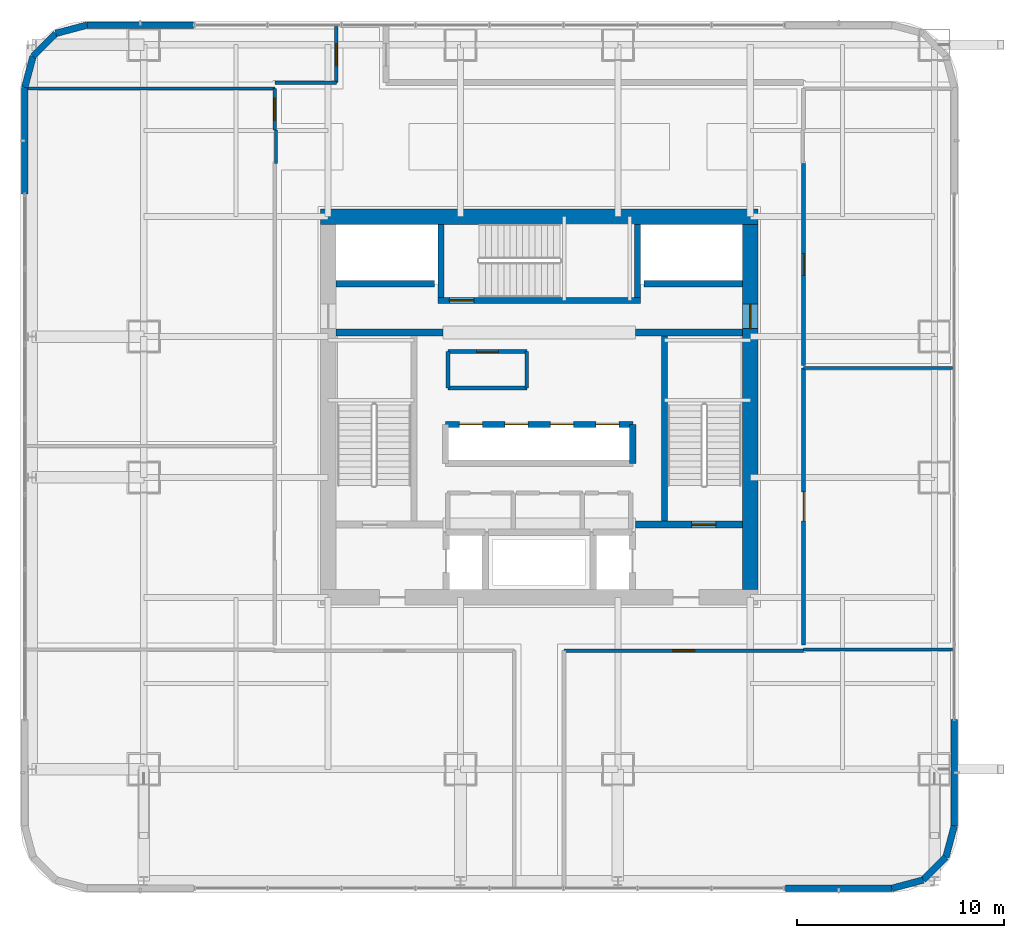
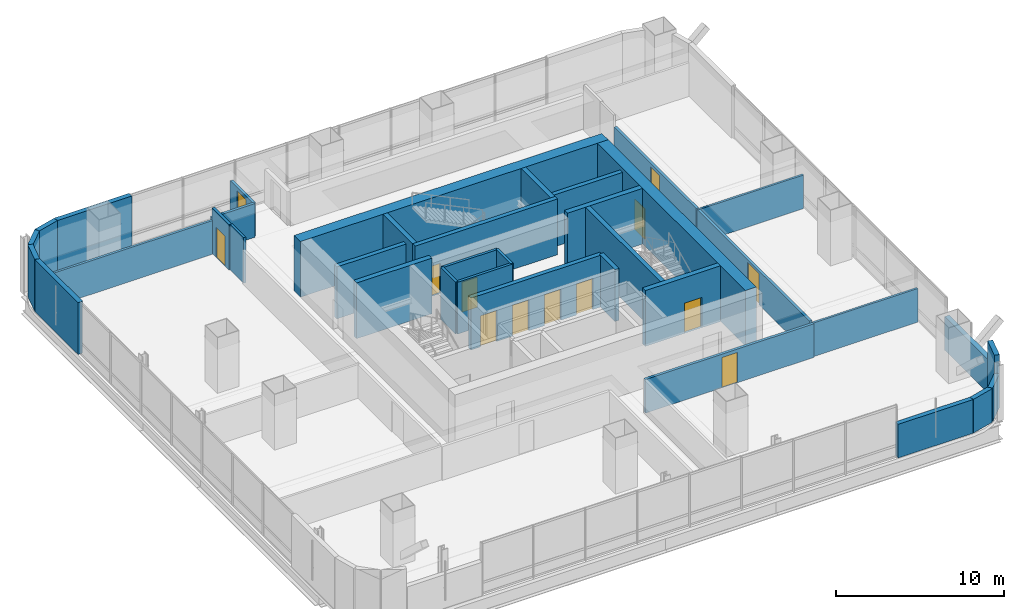
# One storey, part 30 of 45: 37 walls, 13 doors, 13 openings.
"""IFC4 building model written with IfcOpenShell, lengths in metres."""

import ifcopenshell
import ifcopenshell.guid

model = None  # the IFC model being written
_history = None  # IfcOwnerHistory: only IFC2X3 demands one
_inside = {}  # id of a spatial element -> (the spatial element, [elements in it])
_under = {}  # id of a project, library or spatial element -> (it, [spatial elements below it])
_declared = {}  # id of a project -> (the project, [libraries it declares])
_typed = {}  # id of a type object -> (the type object, [elements of that type])
_made_of = {}  # id of a material, layer set ... -> (it, [elements and type objects made of it])


def new_model(schema):
    """Start an empty IFC model of exactly this schema.

    Asked for "IFC4X3", IfcOpenShell would pick the latest addendum, in which some entities
    have other attributes; the version numbers below select the first issue.
    IFC2X3 requires an IfcOwnerHistory on every rooted entity: one is made here for all.
    """
    global model, _history
    if schema == "IFC4X3":
        model = ifcopenshell.file(schema_version=(4, 3, 0, 0))
    else:
        model = ifcopenshell.file(schema=schema)
    _inside.clear()
    _under.clear()
    _declared.clear()
    _typed.clear()
    _made_of.clear()
    _history = None
    if model.schema == "IFC2X3":
        org = make("IfcOrganization", Name="unknown")
        user = make(
            "IfcPersonAndOrganization",
            ThePerson=make("IfcPerson", FamilyName="unknown"),
            TheOrganization=org,
        )
        app = make(
            "IfcApplication",
            ApplicationDeveloper=org,
            Version="unknown",
            ApplicationFullName="unknown",
            ApplicationIdentifier="unknown",
        )
        _history = make(
            "IfcOwnerHistory",
            OwningUser=user,
            OwningApplication=app,
            ChangeAction="ADDED",
            CreationDate=0,
        )
    return model


def make(cls, **values):
    """One entity of the class cls with the attributes given. An attribute that is None is left unset."""
    return model.create_entity(
        cls, **{name: value for name, value in values.items() if value is not None}
    )


def rooted(cls, **values):
    """An entity with a GlobalId (a new one), such as an element, a storey or a relation."""
    return make(cls, GlobalId=ifcopenshell.guid.new(), OwnerHistory=_history, **values)


def si_unit(unit_type, name, prefix=None):
    """IfcSIUnit, for example si_unit("LENGTHUNIT", "METRE", prefix="MILLI")."""
    return make("IfcSIUnit", UnitType=unit_type, Prefix=prefix, Name=name)


def assignment(units):
    """IfcUnitAssignment: the units of a project."""
    return None if units is None else make("IfcUnitAssignment", Units=units)


def point(xyz):
    """IfcCartesianPoint."""
    return None if xyz is None else make("IfcCartesianPoint", Coordinates=xyz)


def direction(xyz):
    """IfcDirection."""
    return None if xyz is None else make("IfcDirection", DirectionRatios=xyz)


def frame(location, z_axis=None, x_axis=None):
    """IfcAxis2Placement3D, a coordinate frame: its origin and axes. An axis left out is left unset."""
    return make(
        "IfcAxis2Placement3D",
        Location=point(location),
        Axis=direction(z_axis),
        RefDirection=direction(x_axis),
    )


def frame_2d(location, x_axis=None):
    """IfcAxis2Placement2D, a coordinate frame in the plane: its origin and x axis."""
    return make(
        "IfcAxis2Placement2D", Location=point(location), RefDirection=direction(x_axis)
    )


def origin():
    """The frame at (0, 0, 0) with its axes left unset."""
    return frame((0.0, 0.0, 0.0))


def place(relative_to, where):
    """IfcLocalPlacement: puts the frame where relative to a parent placement (None: the world)."""
    return make(
        "IfcLocalPlacement", PlacementRelTo=relative_to, RelativePlacement=where
    )


def context(
    kind, dimensions, precision=None, world=None, true_north=None, identifier=None
):
    """IfcGeometricRepresentationContext, for example the 3D "Model" context."""
    return make(
        "IfcGeometricRepresentationContext",
        ContextIdentifier=identifier,
        ContextType=kind,
        CoordinateSpaceDimension=dimensions,
        Precision=precision,
        WorldCoordinateSystem=world,
        TrueNorth=true_north,
    )


def subcontext(parent, identifier, kind, view, scale=None):
    """IfcGeometricRepresentationSubContext, for example "Body" below "Model"."""
    return make(
        "IfcGeometricRepresentationSubContext",
        ContextIdentifier=identifier,
        ContextType=kind,
        ParentContext=parent,
        TargetScale=scale,
        TargetView=view,
    )


def project(units=None, contexts=None):
    """IfcProject with its units and contexts."""
    return rooted(
        "IfcProject",
        Name="project",
        RepresentationContexts=contexts,
        UnitsInContext=assignment(units),
    )


def spatial(cls, under=None, at=None, **own):
    """A site, building, storey or space (cls), placed at a placement, below another one or the project."""
    s = rooted(cls, ObjectPlacement=at, **own)
    if under is not None:
        _under.setdefault(under.id(), (under, []))[1].append(s)
    return s


def profile(cls, at=None, kind="AREA", **sizes):
    """A parametric profile (cls). Its sizes go by their IFC names, for example OverallWidth=200.0."""
    return make(cls, ProfileType=kind, Position=at, **sizes)


def rectangle(**sizes):
    """IfcRectangleProfileDef."""
    return profile("IfcRectangleProfileDef", **sizes)


def extrude(swept, where, along, depth):
    """IfcExtrudedAreaSolid: the profile swept, set in the frame where, extruded along a direction by depth."""
    return make(
        "IfcExtrudedAreaSolid",
        SweptArea=swept,
        Position=where,
        ExtrudedDirection=direction(along),
        Depth=depth,
    )


def shape(context_of_items, identifier, shape_type, items):
    """IfcShapeRepresentation: the items that make up one representation, for example the "Body"."""
    return make(
        "IfcShapeRepresentation",
        ContextOfItems=context_of_items,
        RepresentationIdentifier=identifier,
        RepresentationType=shape_type,
        Items=items,
    )


def material(Name=None, Category=None):
    """IfcMaterial."""
    return make("IfcMaterial", Name=Name, Category=Category)


def layer(
    of_material, thickness, ventilated=None, Name=None, Category=None, Priority=None
):
    """IfcMaterialLayer: one layer of a wall or slab, of a material (None: an air gap)."""
    return make(
        "IfcMaterialLayer",
        Material=of_material,
        LayerThickness=thickness,
        IsVentilated=ventilated,
        Name=Name,
        Category=Category,
        Priority=Priority,
    )


def layer_set(layers, Name=None):
    """IfcMaterialLayerSet."""
    return make("IfcMaterialLayerSet", MaterialLayers=layers, LayerSetName=Name)


def made_of(thing, what):
    """Note that an element or type object is made of a material, layer set ...; save() writes the relation."""
    if what is not None:
        _made_of.setdefault(what.id(), (what, []))[1].append(thing)
    return thing


def type_object(cls, material=None, **own):
    """A type object (cls), such as IfcWallType, which elements share."""
    return made_of(rooted(cls, **own), material)


def element(
    cls,
    number,
    at=None,
    inside=None,
    cuts=None,
    type_object=None,
    material=None,
    context=None,
    identifier="Body",
    shape_type=None,
    held_by="IfcProductDefinitionShape",
    body=None,
    shapes=None,
    **own,
):
    """One element of the class cls, such as IfcWall. Its Tag is "e" and its number.

    at: its placement. inside: the storey or other place that contains it. cuts: it is an
    opening in that element (IfcRelVoidsElement). A single representation is given by context,
    identifier, shape_type and body (its items); several are given by shapes. held_by: the class
    of the entity that holds the representations. save() writes the other relations.
    """
    e = rooted(cls, Tag="e%d" % number, ObjectPlacement=at, **own)
    if body is not None:
        shapes = [shape(context, identifier, shape_type, body)]
    if shapes is not None:
        e.Representation = make(held_by, Representations=shapes)
    if inside is not None:
        _inside.setdefault(inside.id(), (inside, []))[1].append(e)
    if cuts is not None:
        rooted(
            "IfcRelVoidsElement", RelatingBuildingElement=cuts, RelatedOpeningElement=e
        )
    if type_object is not None:
        _typed.setdefault(type_object.id(), (type_object, []))[1].append(e)
    return made_of(e, material)


def fill(opening, filler):
    """IfcRelFillsElement: the door or window that sits in an opening."""
    return rooted(
        "IfcRelFillsElement",
        RelatingOpeningElement=opening,
        RelatedBuildingElement=filler,
    )


def aggregate(whole, parts):
    """IfcRelAggregates: a whole, such as a stair, and the parts it consists of."""
    return rooted("IfcRelAggregates", RelatingObject=whole, RelatedObjects=parts)


def save(model, path):
    """Write the relations noted so far, then the file.

    IfcRelAggregates (storeys below a building ...), IfcRelContainedInSpatialStructure (elements
    in a storey), IfcRelDefinesByType, IfcRelAssociatesMaterial and IfcRelDeclares: one each for
    every whole, place, type object, material and project.
    """
    for whole, parts in _under.values():
        aggregate(whole, parts)
    for where, things in _inside.values():
        rooted(
            "IfcRelContainedInSpatialStructure",
            RelatedElements=things,
            RelatingStructure=where,
        )
    for kind, things in _typed.values():
        rooted("IfcRelDefinesByType", RelatedObjects=things, RelatingType=kind)
    for what, things in _made_of.values():
        rooted("IfcRelAssociatesMaterial", RelatedObjects=things, RelatingMaterial=what)
    for by, libraries in _declared.values():
        rooted("IfcRelDeclares", RelatingContext=by, RelatedDefinitions=libraries)
    model.write(path)


model = new_model("IFC4")

# Units and contexts
model_context = context("Model", 3, precision=1e-05, world=origin(), true_north=direction((0.0, 1.0)))
body_context = subcontext(model_context, "Body", "Model", "MODEL_VIEW")
ifc_project = project(units=[si_unit("LENGTHUNIT", "METRE"), si_unit("AREAUNIT", "SQUARE_METRE"), si_unit("VOLUMEUNIT", "CUBIC_METRE"), si_unit("PLANEANGLEUNIT", "RADIAN"), si_unit("MASSUNIT", "GRAM", prefix="KILO")], contexts=[model_context])

# Site, building, storey
site_placement = place(None, origin())
site = spatial("IfcSite", under=ifc_project, at=site_placement, CompositionType="ELEMENT")
building_placement = place(site_placement, origin())
building = spatial("IfcBuilding", under=site, at=building_placement, Name="Punatoya Terracotta Tower", CompositionType="ELEMENT")
storey_placement = place(building_placement, frame((0.0, 0.0, 56.550048828125)))
storey = spatial("IfcBuildingStorey", under=building, at=storey_placement, Name="L12", CompositionType="ELEMENT", Elevation=56.550048828125)

# Wall
ifc_material_1 = material(Name="Concrete C60/75", Category="concrete")
ifc_layer_1 = layer(ifc_material_1, 0.75)
ifc_layer_set_1 = layer_set([ifc_layer_1], Name="Concrete C60/75")
wall_type_1 = type_object("IfcWallType", Name="WL-COR-750", PredefinedType="SHEAR", material=ifc_layer_set_1)
wall_1_placement = place(storey_placement, frame((-10.574951171875, 9.199951171875, 0.0), z_axis=(0.0, 0.0, 1.0), x_axis=(1.0, 0.0, 0.0)))
element("IfcWall", 1, at=wall_1_placement, inside=storey, type_object=wall_type_1, Name="L12 Core Shear Wall N", PredefinedType="SHEAR", context=body_context, shape_type="SweptSolid", body=[
    extrude(rectangle(XDim=21.14990234375, YDim=0.75, at=frame_2d((10.574951171875, 0.0))), origin(), (0.0, 0.0, 1.0), 4.050048828125),
])

# Wall, opening, door
wall_2_placement = place(storey_placement, frame((10.199951171875, 8.824951171875, 0.0), z_axis=(0.0, 0.0, 1.0), x_axis=(0.0, -1.0, 0.0)))
wall_2 = element("IfcWall", 2, at=wall_2_placement, inside=storey, type_object=wall_type_1, Name="L12 Core Shear Wall E", PredefinedType="SHEAR", context=body_context, shape_type="SweptSolid", body=[
    extrude(rectangle(XDim=17.64990234375, YDim=0.75, at=frame_2d((8.824951171875, 0.0))), origin(), (0.0, 0.0, 1.0), 4.050048828125),
])
opening_1_placement = place(wall_2_placement, frame((3.85498046875, 0.0, 0.0)))
opening_1 = element("IfcOpeningElement", 3, at=opening_1_placement, cuts=wall_2, Name="Opening SD-01", PredefinedType="OPENING", context=body_context, shape_type="SweptSolid", body=[
    extrude(rectangle(XDim=1.179931640625, YDim=2.199951171875, at=frame_2d((0.58984375, 1.10009765625))), frame((0.0, 0.385009765625, 0.0), z_axis=(0.0, -1.0, 0.0), x_axis=(1.0, 0.0, 0.0)), (0.0, 0.0, 1.0), 0.77001953125),
])
ifc_material_2 = material(Name="Galvanised Steel Pressurized Stair Fire Door", Category="steel")
door_type_1 = type_object("IfcDoorType", Name="DR-STR-1180", OperationType="NOTDEFINED", PredefinedType="DOOR", material=ifc_material_2)
door_1_placement = place(opening_1_placement, origin())
door_1 = element("IfcDoor", 4, at=door_1_placement, inside=storey, type_object=door_type_1, Name="L12 Central Lift Lobby East Fire Door", OperationType="SINGLE_SWING_RIGHT", OverallHeight=2.199951171875, OverallWidth=1.179931640625, PredefinedType="DOOR", context=body_context, shape_type="SweptSolid", body=[
    extrude(rectangle(XDim=1.179931640625, YDim=2.199951171875, at=frame_2d((0.58984375, 1.10009765625))), frame((0.0, 0.02490234375, 0.0), z_axis=(0.0, -1.0, 0.0), x_axis=(1.0, 0.0, 0.0)), (0.0, 0.0, 1.0), 0.050048828125),
])
fill(opening_1, door_1)

# Wall
ifc_material_3 = material(Name="Gypsum Fireboard + Steel Stud", Category="steel")
ifc_layer_2 = layer(ifc_material_3, 0.179931640625)
ifc_layer_set_2 = layer_set([ifc_layer_2], Name="Gypsum Fireboard + Steel Stud")
wall_type_2 = type_object("IfcWallType", Name="WL-CORR-180", PredefinedType="PARTITIONING", material=ifc_layer_set_2)
wall_3_placement = place(storey_placement, frame((-0.60009765625, 0.919921875, 0.0), z_axis=(0.0, 0.0, 1.0), x_axis=(0.0, 1.0, 0.0)))
element("IfcWall", 5, at=wall_3_placement, inside=storey, type_object=wall_type_2, Name="L12 West Core Archive Office Partition 08", PredefinedType="PARTITIONING", context=body_context, shape_type="SweptSolid", body=[
    extrude(rectangle(XDim=1.760009765625, YDim=0.179931640625, at=frame_2d((0.8798828125, 0.0))), origin(), (0.0, 0.0, 1.0), 3.77001953125),
])

# Wall, opening, door
wall_4_placement = place(storey_placement, frame((-0.60009765625, 2.679931640625, 0.0), z_axis=(0.0, 0.0, 1.0), x_axis=(-1.0, 0.0, 0.0)))
wall_4 = element("IfcWall", 6, at=wall_4_placement, inside=storey, type_object=wall_type_2, Name="L12 West Core Archive Office Partition 09", PredefinedType="PARTITIONING", context=body_context, shape_type="SweptSolid", body=[
    extrude(rectangle(XDim=3.7998046875, YDim=0.179931640625, at=frame_2d((1.89990234375, 0.0))), origin(), (0.0, 0.0, 1.0), 3.77001953125),
])
opening_2_placement = place(wall_4_placement, frame((1.375, 0.0, 0.0)))
opening_2 = element("IfcOpeningElement", 7, at=opening_2_placement, cuts=wall_4, Name="Opening OD-01", PredefinedType="OPENING", context=body_context, shape_type="SweptSolid", body=[
    extrude(rectangle(XDim=1.050048828125, YDim=2.199951171875, at=frame_2d((0.52490234375, 1.10009765625))), frame((0.0, 0.099853515625, 0.0), z_axis=(0.0, -1.0, 0.0), x_axis=(1.0, 0.0, 0.0)), (0.0, 0.0, 1.0), 0.199951171875),
])
ifc_material_4 = material(Name="Bengal Teak Solid-Core Leaf")
door_type_2 = type_object("IfcDoorType", Name="DR-OFF-1050", OperationType="NOTDEFINED", PredefinedType="DOOR", material=ifc_material_4)
door_2_placement = place(opening_2_placement, origin())
door_2 = element("IfcDoor", 8, at=door_2_placement, inside=storey, type_object=door_type_2, Name="L12 West Archive Office Door", OperationType="SINGLE_SWING_RIGHT", OverallHeight=2.199951171875, OverallWidth=1.050048828125, PredefinedType="DOOR", context=body_context, shape_type="SweptSolid", body=[
    extrude(rectangle(XDim=1.050048828125, YDim=2.199951171875, at=frame_2d((0.52490234375, 1.10009765625))), frame((0.0, 0.02490234375, 0.0), z_axis=(0.0, -1.0, 0.0), x_axis=(1.0, 0.0, 0.0)), (0.0, 0.0, 1.0), 0.050048828125),
])
fill(opening_2, door_2)

# Walls
wall_5_placement = place(storey_placement, frame((-4.39990234375, 2.679931640625, 0.0), z_axis=(0.0, 0.0, 1.0), x_axis=(0.0, -1.0, 0.0)))
element("IfcWall", 9, at=wall_5_placement, inside=storey, type_object=wall_type_2, Name="L12 West Core Archive Office Partition 10", PredefinedType="PARTITIONING", context=body_context, shape_type="SweptSolid", body=[
    extrude(rectangle(XDim=1.760009765625, YDim=0.179931640625, at=frame_2d((0.8798828125, 0.0))), origin(), (0.0, 0.0, 1.0), 3.77001953125),
])
wall_6_placement = place(storey_placement, frame((-4.39990234375, 0.919921875, 0.0), z_axis=(0.0, 0.0, 1.0), x_axis=(1.0, 0.0, 0.0)))
element("IfcWall", 10, at=wall_6_placement, inside=storey, type_object=wall_type_2, Name="L12 West Core Archive Office Partition 11", PredefinedType="PARTITIONING", context=body_context, shape_type="SweptSolid", body=[
    extrude(rectangle(XDim=3.7998046875, YDim=0.179931640625, at=frame_2d((1.89990234375, 0.0))), origin(), (0.0, 0.0, 1.0), 3.77001953125),
])

# Wall, opening, door
wall_7_placement = place(storey_placement, frame((1.199951171875, -11.77001953125, 0.0), z_axis=(0.0, 0.0, 1.0), x_axis=(1.0, 0.0, 0.0)))
wall_7 = element("IfcWall", 11, at=wall_7_placement, inside=storey, type_object=wall_type_2, Name="L12 Occupational Rest Lounge Partition 15", PredefinedType="PARTITIONING", context=body_context, shape_type="SweptSolid", body=[
    extrude(rectangle(XDim=11.570068359375, YDim=0.179931640625, at=frame_2d((5.78515625, 0.0))), origin(), (0.0, 0.0, 1.0), 2.44384765625),
])
opening_3_placement = place(wall_7_placement, frame((5.260009765625, 0.0, 0.0)))
opening_3 = element("IfcOpeningElement", 12, at=opening_3_placement, cuts=wall_7, Name="Opening OD-01", PredefinedType="OPENING", context=body_context, shape_type="SweptSolid", body=[
    extrude(rectangle(XDim=1.050048828125, YDim=2.199951171875, at=frame_2d((0.52490234375, 1.10009765625))), frame((0.0, 0.099853515625, 0.0), z_axis=(0.0, -1.0, 0.0), x_axis=(1.0, 0.0, 0.0)), (0.0, 0.0, 1.0), 0.199951171875),
])
door_3_placement = place(opening_3_placement, origin())
door_3 = element("IfcDoor", 13, at=door_3_placement, inside=storey, type_object=door_type_2, Name="L12 Occupational Rest Lounge Door", OperationType="SINGLE_SWING_RIGHT", OverallHeight=2.199951171875, OverallWidth=1.050048828125, PredefinedType="DOOR", context=body_context, shape_type="SweptSolid", body=[
    extrude(rectangle(XDim=1.050048828125, YDim=2.199951171875, at=frame_2d((0.52490234375, 1.10009765625))), frame((0.0, 0.02490234375, 0.0), z_axis=(0.0, -1.0, 0.0), x_axis=(1.0, 0.0, 0.0)), (0.0, 0.0, 1.0), 0.050048828125),
])
fill(opening_3, door_3)

wall_8_placement = place(storey_placement, frame((12.77001953125, -11.489990234375, 0.0), z_axis=(0.0, 0.0, 1.0), x_axis=(0.0, 1.0, 0.0)))
wall_8 = element("IfcWall", 14, at=wall_8_placement, inside=storey, type_object=wall_type_2, Name="L12 Open-Plan Leadership Training Classroom Partition 20", PredefinedType="PARTITIONING", context=body_context, shape_type="SweptSolid", body=[
    extrude(rectangle(XDim=13.3798828125, YDim=0.179931640625, at=frame_2d((6.68994140625, 0.0))), origin(), (0.0, 0.0, 1.0), 2.44384765625),
])
opening_4_placement = place(wall_8_placement, frame((5.989990234375, 0.0, 0.0)))
opening_4 = element("IfcOpeningElement", 15, at=opening_4_placement, cuts=wall_8, Name="Opening BD-01", PredefinedType="OPENING", context=body_context, shape_type="SweptSolid", body=[
    extrude(rectangle(XDim=1.39990234375, YDim=2.25, at=frame_2d((0.699951171875, 1.125))), frame((0.0, 0.099853515625, 0.0), z_axis=(0.0, -1.0, 0.0), x_axis=(1.0, 0.0, 0.0)), (0.0, 0.0, 1.0), 0.199951171875),
])
ifc_material_5 = material(Name="Bengal Teak Acoustic Leaf")
door_type_3 = type_object("IfcDoorType", Name="DR-BRD-1400", OperationType="NOTDEFINED", PredefinedType="DOOR", material=ifc_material_5)
door_4_placement = place(opening_4_placement, origin())
door_4 = element("IfcDoor", 16, at=door_4_placement, inside=storey, type_object=door_type_3, Name="L12 Open-Plan Leadership Training Classroom Door", OperationType="SINGLE_SWING_RIGHT", OverallHeight=2.25, OverallWidth=1.39990234375, PredefinedType="DOOR", context=body_context, shape_type="SweptSolid", body=[
    extrude(rectangle(XDim=1.39990234375, YDim=2.25, at=frame_2d((0.699951171875, 1.125))), frame((0.0, 0.02490234375, 0.0), z_axis=(0.0, -1.0, 0.0), x_axis=(1.0, 0.0, 0.0)), (0.0, 0.0, 1.0), 0.050048828125),
])
fill(opening_4, door_4)

wall_9_placement = place(storey_placement, frame((-12.77001953125, 15.389892578125, 0.0), z_axis=(0.0, 0.0, 1.0), x_axis=(0.0, -1.0, 0.0)))
wall_9 = element("IfcWall", 17, at=wall_9_placement, inside=storey, type_object=wall_type_2, Name="L12 Nutrition Tea Pantry Partition 23", PredefinedType="PARTITIONING", context=body_context, shape_type="SweptSolid", body=[
    extrude(rectangle(XDim=2.010009765625, YDim=0.179931640625, at=frame_2d((1.0048828125, 0.0))), origin(), (0.0, 0.0, 1.0), 3.31396484375),
])
opening_5_placement = place(wall_9_placement, frame((0.47998046875, 0.0, 0.0)))
opening_5 = element("IfcOpeningElement", 18, at=opening_5_placement, cuts=wall_9, Name="Opening OD-01", PredefinedType="OPENING", context=body_context, shape_type="SweptSolid", body=[
    extrude(rectangle(XDim=1.050048828125, YDim=2.199951171875, at=frame_2d((0.52490234375, 1.10009765625))), frame((0.0, 0.099853515625, 0.0), z_axis=(0.0, -1.0, 0.0), x_axis=(1.0, 0.0, 0.0)), (0.0, 0.0, 1.0), 0.199951171875),
])
door_5_placement = place(opening_5_placement, origin())
door_5 = element("IfcDoor", 19, at=door_5_placement, inside=storey, type_object=door_type_2, Name="L12 Nutrition Tea Pantry Door", OperationType="SINGLE_SWING_LEFT", OverallHeight=2.199951171875, OverallWidth=1.050048828125, PredefinedType="DOOR", context=body_context, shape_type="SweptSolid", body=[
    extrude(rectangle(XDim=1.050048828125, YDim=2.199951171875, at=frame_2d((0.52490234375, 1.10009765625))), frame((0.0, 0.02490234375, 0.0), z_axis=(0.0, -1.0, 0.0), x_axis=(1.0, 0.0, 0.0)), (0.0, 0.0, 1.0), 0.050048828125),
])
fill(opening_5, door_5)

wall_10_placement = place(storey_placement, frame((12.77001953125, 2.010009765625, 0.0), z_axis=(0.0, 0.0, 1.0), x_axis=(0.0, 1.0, 0.0)))
wall_10 = element("IfcWall", 20, at=wall_10_placement, inside=storey, type_object=wall_type_2, Name="L12 Open-Plan Mindfulness Wellness Room Partition 26", PredefinedType="PARTITIONING", context=body_context, shape_type="SweptSolid", body=[
    extrude(rectangle(XDim=9.760009765625, YDim=0.179931640625, at=frame_2d((4.8798828125, 0.0))), origin(), (0.0, 0.0, 1.0), 2.44384765625),
])
opening_6_placement = place(wall_10_placement, frame((4.35498046875, 0.0, 0.0)))
opening_6 = element("IfcOpeningElement", 21, at=opening_6_placement, cuts=wall_10, Name="Opening OD-01", PredefinedType="OPENING", context=body_context, shape_type="SweptSolid", body=[
    extrude(rectangle(XDim=1.050048828125, YDim=2.199951171875, at=frame_2d((0.52490234375, 1.10009765625))), frame((0.0, 0.099853515625, 0.0), z_axis=(0.0, -1.0, 0.0), x_axis=(1.0, 0.0, 0.0)), (0.0, 0.0, 1.0), 0.199951171875),
])
door_6_placement = place(opening_6_placement, origin())
door_6 = element("IfcDoor", 22, at=door_6_placement, inside=storey, type_object=door_type_2, Name="L12 Open-Plan Mindfulness Wellness Room Door", OperationType="SINGLE_SWING_RIGHT", OverallHeight=2.199951171875, OverallWidth=1.050048828125, PredefinedType="DOOR", context=body_context, shape_type="SweptSolid", body=[
    extrude(rectangle(XDim=1.050048828125, YDim=2.199951171875, at=frame_2d((0.52490234375, 1.10009765625))), frame((0.0, 0.02490234375, 0.0), z_axis=(0.0, -1.0, 0.0), x_axis=(1.0, 0.0, 0.0)), (0.0, 0.0, 1.0), 0.050048828125),
])
fill(opening_6, door_6)

wall_11_placement = place(storey_placement, frame((-9.800048828125, 18.3701171875, 0.0), z_axis=(0.0, 0.0, 1.0), x_axis=(0.0, -1.0, 0.0)))
wall_11 = element("IfcWall", 23, at=wall_11_placement, inside=storey, type_object=wall_type_2, Name="L12 Open-Plan Cultural Reading Library Partition 30", PredefinedType="PARTITIONING", context=body_context, shape_type="SweptSolid", body=[
    extrude(rectangle(XDim=2.7001953125, YDim=0.179931640625, at=frame_2d((1.35009765625, 0.0))), origin(), (0.0, 0.0, 1.0), 2.44384765625),
])
opening_7_placement = place(wall_11_placement, frame((0.824951171875, 0.0, 0.0)))
opening_7 = element("IfcOpeningElement", 24, at=opening_7_placement, cuts=wall_11, Name="Opening OD-01", PredefinedType="OPENING", context=body_context, shape_type="SweptSolid", body=[
    extrude(rectangle(XDim=1.050048828125, YDim=2.199951171875, at=frame_2d((0.52490234375, 1.10009765625))), frame((0.0, 0.099853515625, 0.0), z_axis=(0.0, -1.0, 0.0), x_axis=(1.0, 0.0, 0.0)), (0.0, 0.0, 1.0), 0.199951171875),
])
door_7_placement = place(opening_7_placement, origin())
door_7 = element("IfcDoor", 25, at=door_7_placement, inside=storey, type_object=door_type_2, Name="L12 Open-Plan Cultural Reading Library Door", OperationType="SINGLE_SWING_LEFT", OverallHeight=2.199951171875, OverallWidth=1.050048828125, PredefinedType="DOOR", context=body_context, shape_type="SweptSolid", body=[
    extrude(rectangle(XDim=1.050048828125, YDim=2.199951171875, at=frame_2d((0.52490234375, 1.10009765625))), frame((0.0, 0.02490234375, 0.0), z_axis=(0.0, -1.0, 0.0), x_axis=(1.0, 0.0, 0.0)), (0.0, 0.0, 1.0), 0.050048828125),
])
fill(opening_7, door_7)

# Walls
wall_12_placement = place(storey_placement, frame((-9.800048828125, 15.669921875, 0.0), z_axis=(0.0, 0.0, 1.0), x_axis=(-1.0, 0.0, 0.0)))
element("IfcWall", 26, at=wall_12_placement, inside=storey, type_object=wall_type_2, Name="L12 Open-Plan Cultural Reading Library Partition 31", PredefinedType="PARTITIONING", context=body_context, shape_type="SweptSolid", body=[
    extrude(rectangle(XDim=2.969970703125, YDim=0.179931640625, at=frame_2d((1.48486328125, 0.0))), origin(), (0.0, 0.0, 1.0), 2.44384765625),
])
ifc_material_6 = material(Name="Precast concrete C40/50", Category="concrete")
ifc_layer_3 = layer(ifc_material_6, 0.320068359375)
ifc_layer_set_3 = layer_set([ifc_layer_3], Name="Precast concrete C40/50")
wall_type_3 = type_object("IfcWallType", Name="WL-EXT-320", PredefinedType="SOLIDWALL", material=ifc_layer_set_3)
wall_13_placement = place(storey_placement, frame((11.89990234375, -23.25, 0.0), z_axis=(0.0, 0.0, 1.0), x_axis=(1.0, 0.0, 0.0)))
element("IfcWall", 27, at=wall_13_placement, inside=storey, type_object=wall_type_3, Name="L12 Terracotta Braced Facade Wall S2", PredefinedType="SOLIDWALL", context=body_context, shape_type="SweptSolid", body=[
    extrude(rectangle(XDim=5.136962890625, YDim=0.320068359375, at=frame_2d((2.568359375, 0.0))), origin(), (0.0, 0.0, 1.0), 2.44384765625),
])
wall_14_placement = place(storey_placement, frame((17.036865234375, -23.25, 0.0), z_axis=(0.0, 0.0, 1.0), x_axis=(0.966224582397, 0.257701486942, 0.0)))
element("IfcWall", 28, at=wall_14_placement, inside=storey, type_object=wall_type_3, Name="L12 Rounded Terracotta Corner Pier 02", PredefinedType="SOLIDWALL", context=body_context, shape_type="SweptSolid", body=[
    extrude(rectangle(XDim=1.565185546875, YDim=0.320068359375, at=frame_2d((0.78271484375, 0.0))), origin(), (0.0, 0.0, 1.0), 2.44384765625),
])
wall_15_placement = place(storey_placement, frame((18.549072265625, -22.8466796875, 0.0), z_axis=(0.0, 0.0, 1.0), x_axis=(0.707028130747, 0.707185422879, 0.0)))
element("IfcWall", 29, at=wall_15_placement, inside=storey, type_object=wall_type_3, Name="L12 Rounded Terracotta Corner Pier 03", PredefinedType="SOLIDWALL", context=body_context, shape_type="SweptSolid", body=[
    extrude(rectangle(XDim=1.55224609375, YDim=0.320068359375, at=frame_2d((0.776123046875, 0.0))), origin(), (0.0, 0.0, 1.0), 2.44384765625),
])
wall_16_placement = place(storey_placement, frame((19.646484375, -21.7490234375, 0.0), z_axis=(0.0, 0.0, 1.0), x_axis=(0.257847112249, 0.966185730957, 0.0)))
element("IfcWall", 30, at=wall_16_placement, inside=storey, type_object=wall_type_3, Name="L12 Rounded Terracotta Corner Pier 04", PredefinedType="SOLIDWALL", context=body_context, shape_type="SweptSolid", body=[
    extrude(rectangle(XDim=1.565185546875, YDim=0.320068359375, at=frame_2d((0.78271484375, 0.0))), origin(), (0.0, 0.0, 1.0), 3.77001953125),
])
wall_17_placement = place(storey_placement, frame((20.050048828125, -20.23681640625, 0.0), z_axis=(0.0, 0.0, 1.0), x_axis=(0.0, 1.0, 0.0)))
element("IfcWall", 31, at=wall_17_placement, inside=storey, type_object=wall_type_3, Name="L12 Terracotta Braced Facade Wall E1", PredefinedType="SOLIDWALL", context=body_context, shape_type="SweptSolid", body=[
    extrude(rectangle(XDim=5.13671875, YDim=0.320068359375, at=frame_2d((2.568359375, 0.0))), origin(), (0.0, 0.0, 1.0), 2.44384765625),
])
wall_18_placement = place(storey_placement, frame((-16.699951171875, 18.449951171875, 0.0), z_axis=(0.0, 0.0, 1.0), x_axis=(-1.0, 0.0, 0.0)))
element("IfcWall", 32, at=wall_18_placement, inside=storey, type_object=wall_type_3, Name="L12 Terracotta Braced Facade Wall N2", PredefinedType="SOLIDWALL", context=body_context, shape_type="SweptSolid", body=[
    extrude(rectangle(XDim=5.136962890625, YDim=0.320068359375, at=frame_2d((2.568359375, 0.0))), origin(), (0.0, 0.0, 1.0), 3.77001953125),
])
wall_19_placement = place(storey_placement, frame((-21.8369140625, 18.449951171875, 0.0), z_axis=(0.0, 0.0, 1.0), x_axis=(-0.966224582397, -0.257701486942, 0.0)))
element("IfcWall", 33, at=wall_19_placement, inside=storey, type_object=wall_type_3, Name="L12 Rounded Terracotta Corner Pier 10", PredefinedType="SOLIDWALL", context=body_context, shape_type="SweptSolid", body=[
    extrude(rectangle(XDim=1.565185546875, YDim=0.320068359375, at=frame_2d((0.78271484375, 0.0))), origin(), (0.0, 0.0, 1.0), 3.77001953125),
])
wall_20_placement = place(storey_placement, frame((-23.34912109375, 18.046630859375, 0.0), z_axis=(0.0, 0.0, 1.0), x_axis=(-0.707106781187, -0.707106781187, 0.0)))
element("IfcWall", 34, at=wall_20_placement, inside=storey, type_object=wall_type_3, Name="L12 Rounded Terracotta Corner Pier 11", PredefinedType="SOLIDWALL", context=body_context, shape_type="SweptSolid", body=[
    extrude(rectangle(XDim=1.552001953125, YDim=0.320068359375, at=frame_2d((0.77587890625, 0.0))), origin(), (0.0, 0.0, 1.0), 3.77001953125),
])
wall_21_placement = place(storey_placement, frame((-24.446533203125, 16.94921875, 0.0), z_axis=(0.0, 0.0, 1.0), x_axis=(-0.257847112249, -0.966185730957, 0.0)))
element("IfcWall", 35, at=wall_21_placement, inside=storey, type_object=wall_type_3, Name="L12 Rounded Terracotta Corner Pier 12", PredefinedType="SOLIDWALL", context=body_context, shape_type="SweptSolid", body=[
    extrude(rectangle(XDim=1.565185546875, YDim=0.320068359375, at=frame_2d((0.78271484375, 0.0))), origin(), (0.0, 0.0, 1.0), 3.77001953125),
])
wall_22_placement = place(storey_placement, frame((-24.85009765625, 15.43701171875, 0.0), z_axis=(0.0, 0.0, 1.0), x_axis=(0.0, -1.0, 0.0)))
element("IfcWall", 36, at=wall_22_placement, inside=storey, type_object=wall_type_3, Name="L12 Terracotta Braced Facade Wall W1", PredefinedType="SOLIDWALL", context=body_context, shape_type="SweptSolid", body=[
    extrude(rectangle(XDim=5.136962890625, YDim=0.320068359375, at=frame_2d((2.568359375, 0.0))), origin(), (0.0, 0.0, 1.0), 3.77001953125),
])
ifc_material_7 = material(Name="Acoustic Gypsum + Steel Stud", Category="steel")
ifc_layer_4 = layer(ifc_material_7, 0.139892578125)
ifc_layer_set_4 = layer_set([ifc_layer_4], Name="Acoustic Gypsum + Steel Stud")
wall_type_4 = type_object("IfcWallType", Name="WL-OFF-140", PredefinedType="PARTITIONING", material=ifc_layer_set_4)
for number, where, z_axis, x_axis, name in (
    (37, (12.77001953125, -11.7099609375, 0.0), (0.0, 0.0, 1.0), (1.0, 0.0, 0.0), "L12 Occupational Rest Lounge Partition 16"),
    (38, (12.77001953125, 1.889892578125, 0.0), (0.0, 0.0, 1.0), (1.0, 0.0, 0.0), "L12 Open-Plan Leadership Training Classroom Partition 21"),
):
    element("IfcWall", number, at=place(storey_placement, frame(where, z_axis=z_axis, x_axis=x_axis)), inside=storey, type_object=wall_type_4, Name=name, PredefinedType="PARTITIONING", context=body_context, shape_type="SweptSolid", body=[
        extrude(rectangle(XDim=7.199951171875, YDim=0.139892578125, at=frame_2d((3.60009765625, 0.0))), origin(), (0.0, 0.0, 1.0), 2.44384765625),
    ])
ifc_material_8 = material(Name="Concrete C40/50", Category="concrete")
ifc_layer_5 = layer(ifc_material_8, 0.300048828125)
ifc_layer_set_5 = layer_set([ifc_layer_5], Name="Concrete C40/50")
wall_type_5 = type_object("IfcWallType", Name="WL-SHF-300", PredefinedType="SOLIDWALL", material=ifc_layer_set_5)
wall_23_placement = place(storey_placement, frame((6.050048828125, 3.449951171875, 0.0), z_axis=(0.0, 0.0, 1.0), x_axis=(0.0, -1.0, 0.0)))
element("IfcWall", 39, at=wall_23_placement, inside=storey, type_object=wall_type_5, Name="L12 Structural Stair Shaft Wall SW-ST2-W", PredefinedType="SOLIDWALL", context=body_context, shape_type="SweptSolid", body=[
    extrude(rectangle(XDim=8.949951171875, YDim=0.300048828125, at=frame_2d((4.47509765625, 0.0))), origin(), (0.0, 0.0, 1.0), 4.050048828125),
])
for number, where, z_axis, x_axis, name in (
    (40, (-4.75, 5.300048828125, 0.0), (0.0, 0.0, 1.0), (0.0, 1.0, 0.0), "L12 Structural Stair Shaft Wall SW-ST3-W"),
    (41, (4.75, 8.824951171875, 0.0), (0.0, 0.0, 1.0), (0.0, -1.0, 0.0), "L12 Structural Stair Shaft Wall SW-ST3-E"),
):
    element("IfcWall", number, at=place(storey_placement, frame(where, z_axis=z_axis, x_axis=x_axis)), inside=storey, type_object=wall_type_5, Name=name, PredefinedType="SOLIDWALL", context=body_context, shape_type="SweptSolid", body=[
        extrude(rectangle(XDim=3.52490234375, YDim=0.300048828125, at=frame_2d((1.762451171875, 0.0))), origin(), (0.0, 0.0, 1.0), 4.050048828125),
    ])

# Wall, opening, door
wall_24_placement = place(storey_placement, frame((-4.89990234375, 5.14990234375, 0.0), z_axis=(0.0, 0.0, 1.0), x_axis=(1.0, 0.0, 0.0)))
wall_24 = element("IfcWall", 42, at=wall_24_placement, inside=storey, type_object=wall_type_5, Name="L12 Structural Stair Shaft Wall SW-ST3-S", PredefinedType="SOLIDWALL", context=body_context, shape_type="SweptSolid", body=[
    extrude(rectangle(XDim=9.7998046875, YDim=0.300048828125, at=frame_2d((4.89990234375, 0.0))), origin(), (0.0, 0.0, 1.0), 4.050048828125),
])
opening_8_placement = place(wall_24_placement, frame((0.56005859375, 0.0, 0.0)))
opening_8 = element("IfcOpeningElement", 43, at=opening_8_placement, cuts=wall_24, Name="Opening SD-01", PredefinedType="OPENING", context=body_context, shape_type="SweptSolid", body=[
    extrude(rectangle(XDim=1.179931640625, YDim=2.199951171875, at=frame_2d((0.58984375, 1.10009765625))), frame((0.0, 0.159912109375, 0.0), z_axis=(0.0, -1.0, 0.0), x_axis=(1.0, 0.0, 0.0)), (0.0, 0.0, 1.0), 0.320068359375),
])
door_8_placement = place(opening_8_placement, origin())
door_8 = element("IfcDoor", 44, at=door_8_placement, inside=storey, type_object=door_type_1, Name="L12 Stair ST-3 Core Lobby Fire Door", OperationType="SINGLE_SWING_LEFT", OverallHeight=2.199951171875, OverallWidth=1.179931640625, PredefinedType="DOOR", context=body_context, shape_type="SweptSolid", body=[
    extrude(rectangle(XDim=1.179931640625, YDim=2.199951171875, at=frame_2d((0.58984375, 1.10009765625))), frame((0.0, 0.02490234375, 0.0), z_axis=(0.0, -1.0, 0.0), x_axis=(1.0, 0.0, 0.0)), (0.0, 0.0, 1.0), 0.050048828125),
])
fill(opening_8, door_8)

# Wall, openings, doors
wall_25_placement = place(storey_placement, frame((-4.52001953125, -0.840087890625, 0.0), z_axis=(0.0, 0.0, 1.0), x_axis=(1.0, 0.0, 0.0)))
wall_25 = element("IfcWall", 45, at=wall_25_placement, inside=storey, type_object=wall_type_5, Name="L12 South Lift Bank Front Shaft Wall", PredefinedType="SOLIDWALL", context=body_context, shape_type="SweptSolid", body=[
    extrude(rectangle(XDim=9.0400390625, YDim=0.300048828125, at=frame_2d((4.52001953125, 0.0))), origin(), (0.0, 0.0, 1.0), 3.77001953125),
])
opening_9_placement = place(wall_25_placement, frame((0.659912109375, 0.0, 0.0)))
opening_9 = element("IfcOpeningElement", 46, at=opening_9_placement, cuts=wall_25, Name="Opening LD-02", PredefinedType="OPENING", context=body_context, shape_type="SweptSolid", body=[
    extrude(rectangle(XDim=1.1201171875, YDim=2.25, at=frame_2d((0.56005859375, 1.125))), frame((0.0, 0.159912109375, 0.0), z_axis=(0.0, -1.0, 0.0), x_axis=(1.0, 0.0, 0.0)), (0.0, 0.0, 1.0), 0.320068359375),
])
opening_10_placement = place(wall_25_placement, frame((2.860107421875, 0.0, 0.0)))
opening_10 = element("IfcOpeningElement", 47, at=opening_10_placement, cuts=wall_25, Name="Opening LD-02", PredefinedType="OPENING", context=body_context, shape_type="SweptSolid", body=[
    extrude(rectangle(XDim=1.1201171875, YDim=2.25, at=frame_2d((0.56005859375, 1.125))), frame((0.0, 0.159912109375, 0.0), z_axis=(0.0, -1.0, 0.0), x_axis=(1.0, 0.0, 0.0)), (0.0, 0.0, 1.0), 0.320068359375),
])
opening_11_placement = place(wall_25_placement, frame((5.06005859375, 0.0, 0.0)))
opening_11 = element("IfcOpeningElement", 48, at=opening_11_placement, cuts=wall_25, Name="Opening LD-02", PredefinedType="OPENING", context=body_context, shape_type="SweptSolid", body=[
    extrude(rectangle(XDim=1.1201171875, YDim=2.25, at=frame_2d((0.56005859375, 1.125))), frame((0.0, 0.159912109375, 0.0), z_axis=(0.0, -1.0, 0.0), x_axis=(1.0, 0.0, 0.0)), (0.0, 0.0, 1.0), 0.320068359375),
])
opening_12_placement = place(wall_25_placement, frame((7.260009765625, 0.0, 0.0)))
opening_12 = element("IfcOpeningElement", 49, at=opening_12_placement, cuts=wall_25, Name="Opening LD-02", PredefinedType="OPENING", context=body_context, shape_type="SweptSolid", body=[
    extrude(rectangle(XDim=1.1201171875, YDim=2.25, at=frame_2d((0.56005859375, 1.125))), frame((0.0, 0.159912109375, 0.0), z_axis=(0.0, -1.0, 0.0), x_axis=(1.0, 0.0, 0.0)), (0.0, 0.0, 1.0), 0.320068359375),
])
ifc_material_9 = material(Name="Stainless Steel Lift Landing Door", Category="steel")
door_type_4 = type_object("IfcDoorType", Name="DR-LND-1120", OperationType="NOTDEFINED", PredefinedType="DOOR", material=ifc_material_9)
door_9_placement = place(opening_9_placement, origin())
door_9 = element("IfcDoor", 50, at=door_9_placement, inside=storey, type_object=door_type_4, Name="L12 Lift PL-L1 Sliding Landing Door", OperationType="DOUBLE_DOOR_SLIDING", OverallHeight=2.25, OverallWidth=1.1201171875, PredefinedType="DOOR", context=body_context, shape_type="SweptSolid", body=[
    extrude(rectangle(XDim=1.1201171875, YDim=2.25, at=frame_2d((0.56005859375, 1.125))), frame((0.0, 0.02490234375, 0.0), z_axis=(0.0, -1.0, 0.0), x_axis=(1.0, 0.0, 0.0)), (0.0, 0.0, 1.0), 0.050048828125),
])
fill(opening_9, door_9)
door_10_placement = place(opening_10_placement, origin())
door_10 = element("IfcDoor", 51, at=door_10_placement, inside=storey, type_object=door_type_4, Name="L12 Lift PL-L2 Sliding Landing Door", OperationType="DOUBLE_DOOR_SLIDING", OverallHeight=2.25, OverallWidth=1.1201171875, PredefinedType="DOOR", context=body_context, shape_type="SweptSolid", body=[
    extrude(rectangle(XDim=1.1201171875, YDim=2.25, at=frame_2d((0.56005859375, 1.125))), frame((0.0, 0.02490234375, 0.0), z_axis=(0.0, -1.0, 0.0), x_axis=(1.0, 0.0, 0.0)), (0.0, 0.0, 1.0), 0.050048828125),
])
fill(opening_10, door_10)
door_11_placement = place(opening_11_placement, origin())
door_11 = element("IfcDoor", 52, at=door_11_placement, inside=storey, type_object=door_type_4, Name="L12 Lift PL-L3 Sliding Landing Door", OperationType="DOUBLE_DOOR_SLIDING", OverallHeight=2.25, OverallWidth=1.1201171875, PredefinedType="DOOR", context=body_context, shape_type="SweptSolid", body=[
    extrude(rectangle(XDim=1.1201171875, YDim=2.25, at=frame_2d((0.56005859375, 1.125))), frame((0.0, 0.02490234375, 0.0), z_axis=(0.0, -1.0, 0.0), x_axis=(1.0, 0.0, 0.0)), (0.0, 0.0, 1.0), 0.050048828125),
])
fill(opening_11, door_11)
door_12_placement = place(opening_12_placement, origin())
door_12 = element("IfcDoor", 53, at=door_12_placement, inside=storey, type_object=door_type_4, Name="L12 Lift PL-L4 Sliding Landing Door", OperationType="DOUBLE_DOOR_SLIDING", OverallHeight=2.25, OverallWidth=1.1201171875, PredefinedType="DOOR", context=body_context, shape_type="SweptSolid", body=[
    extrude(rectangle(XDim=1.1201171875, YDim=2.25, at=frame_2d((0.56005859375, 1.125))), frame((0.0, 0.02490234375, 0.0), z_axis=(0.0, -1.0, 0.0), x_axis=(1.0, 0.0, 0.0)), (0.0, 0.0, 1.0), 0.050048828125),
])
fill(opening_12, door_12)

# Walls
wall_26_placement = place(storey_placement, frame((4.52001953125, -2.719970703125, 0.0), z_axis=(0.0, 0.0, 1.0), x_axis=(0.0, 1.0, 0.0)))
element("IfcWall", 54, at=wall_26_placement, inside=storey, type_object=wall_type_5, Name="L12 South Lift Bank East End Wall", PredefinedType="SOLIDWALL", context=body_context, shape_type="SweptSolid", body=[
    extrude(rectangle(XDim=1.8798828125, YDim=0.300048828125, at=frame_2d((0.93994140625, 0.0))), origin(), (0.0, 0.0, 1.0), 3.77001953125),
])
for number, where, z_axis, x_axis, name in (
    (55, (-9.820068359375, 5.949951171875, 0.0), (0.0, 0.0, 1.0), (1.0, 0.0, 0.0), "L12 Shuttle SL-1 South Hoistway Wall"),
    (56, (5.06005859375, 5.949951171875, 0.0), (0.0, 0.0, 1.0), (1.0, 0.0, 0.0), "L12 Shuttle SL-2 South Hoistway Wall"),
):
    element("IfcWall", number, at=place(storey_placement, frame(where, z_axis=z_axis, x_axis=x_axis)), inside=storey, type_object=wall_type_5, Name=name, PredefinedType="SOLIDWALL", context=body_context, shape_type="SweptSolid", body=[
        extrude(rectangle(XDim=4.760009765625, YDim=0.300048828125, at=frame_2d((2.3798828125, 0.0))), origin(), (0.0, 0.0, 1.0), 3.77001953125),
    ])

# Wall, opening, door
ifc_material_10 = material(Name="Concrete C50/60", Category="concrete")
ifc_layer_6 = layer(ifc_material_10, 0.35009765625)
ifc_layer_set_6 = layer_set([ifc_layer_6], Name="Concrete C50/60")
wall_type_6 = type_object("IfcWallType", Name="WL-SHF-350", PredefinedType="SOLIDWALL", material=ifc_layer_set_6)
wall_27_placement = place(storey_placement, frame((4.64990234375, -5.679931640625, 0.0), z_axis=(0.0, 0.0, 1.0), x_axis=(1.0, 0.0, 0.0)))
wall_27 = element("IfcWall", 57, at=wall_27_placement, inside=storey, type_object=wall_type_6, Name="L12 Core Web Wall CSW-R", PredefinedType="SOLIDWALL", context=body_context, shape_type="SweptSolid", body=[
    extrude(rectangle(XDim=5.175048828125, YDim=0.35009765625, at=frame_2d((2.58740234375, 0.0))), origin(), (0.0, 0.0, 1.0), 4.050048828125),
])
opening_13_placement = place(wall_27_placement, frame((2.7099609375, 0.0, 0.0)))
opening_13 = element("IfcOpeningElement", 58, at=opening_13_placement, cuts=wall_27, Name="Opening SD-01", PredefinedType="OPENING", context=body_context, shape_type="SweptSolid", body=[
    extrude(rectangle(XDim=1.179931640625, YDim=2.199951171875, at=frame_2d((0.58984375, 1.10009765625))), frame((0.0, 0.18505859375, 0.0), z_axis=(0.0, -1.0, 0.0), x_axis=(1.0, 0.0, 0.0)), (0.0, 0.0, 1.0), 0.3701171875),
])
door_13_placement = place(opening_13_placement, origin())
door_13 = element("IfcDoor", 59, at=door_13_placement, inside=storey, type_object=door_type_1, Name="L12 Stair ST-2 Smokeproof Lobby Fire Door", OperationType="SINGLE_SWING_RIGHT", OverallHeight=2.199951171875, OverallWidth=1.179931640625, PredefinedType="DOOR", context=body_context, shape_type="SweptSolid", body=[
    extrude(rectangle(XDim=1.179931640625, YDim=2.199951171875, at=frame_2d((0.58984375, 1.10009765625))), frame((0.0, 0.02490234375, 0.0), z_axis=(0.0, -1.0, 0.0), x_axis=(1.0, 0.0, 0.0)), (0.0, 0.0, 1.0), 0.050048828125),
])
fill(opening_13, door_13)

# Walls
for number, where, z_axis, x_axis, name in (
    (60, (-9.824951171875, 3.60009765625, 0.0), (0.0, 0.0, 1.0), (1.0, 0.0, 0.0), "L12 Core Web Wall CNW-L"),
    (61, (4.64990234375, 3.60009765625, 0.0), (0.0, 0.0, 1.0), (1.0, 0.0, 0.0), "L12 Core Web Wall CNW-R"),
):
    element("IfcWall", number, at=place(storey_placement, frame(where, z_axis=z_axis, x_axis=x_axis)), inside=storey, type_object=wall_type_6, Name=name, PredefinedType="SOLIDWALL", context=body_context, shape_type="SweptSolid", body=[
        extrude(rectangle(XDim=5.175048828125, YDim=0.35009765625, at=frame_2d((2.58740234375, 0.0))), origin(), (0.0, 0.0, 1.0), 4.050048828125),
    ])
ifc_material_11 = material(Name="Masonry Blockwork + Ceramic Tile", Category="masonry")
ifc_layer_7 = layer(ifc_material_11, 0.159912109375)
ifc_layer_set_7 = layer_set([ifc_layer_7], Name="Masonry Blockwork + Ceramic Tile")
wall_type_7 = type_object("IfcWallType", Name="WL-WET-160", PredefinedType="PARTITIONING", material=ifc_layer_set_7)
wall_28_placement = place(storey_placement, frame((-24.77001953125, 15.389892578125, 0.0), z_axis=(0.0, 0.0, 1.0), x_axis=(1.0, 0.0, 0.0)))
element("IfcWall", 62, at=wall_28_placement, inside=storey, type_object=wall_type_7, Name="L12 Nutrition Tea Pantry Partition 22", PredefinedType="PARTITIONING", context=body_context, shape_type="SweptSolid", body=[
    extrude(rectangle(XDim=12.0, YDim=0.159912109375, at=frame_2d((6.0, 0.0))), origin(), (0.0, 0.0, 1.0), 2.44384765625),
])
wall_29_placement = place(storey_placement, frame((-12.7099609375, 13.3798828125, 0.0), z_axis=(0.0, 0.0, 1.0), x_axis=(0.0, -1.0, 0.0)))
element("IfcWall", 63, at=wall_29_placement, inside=storey, type_object=wall_type_7, Name="L12 Nutrition Tea Pantry Partition 24", PredefinedType="PARTITIONING", context=body_context, shape_type="SweptSolid", body=[
    extrude(rectangle(XDim=1.60986328125, YDim=0.159912109375, at=frame_2d((0.804931640625, 0.0))), origin(), (0.0, 0.0, 1.0), 3.31396484375),
])

save(model, "model.ifc")
